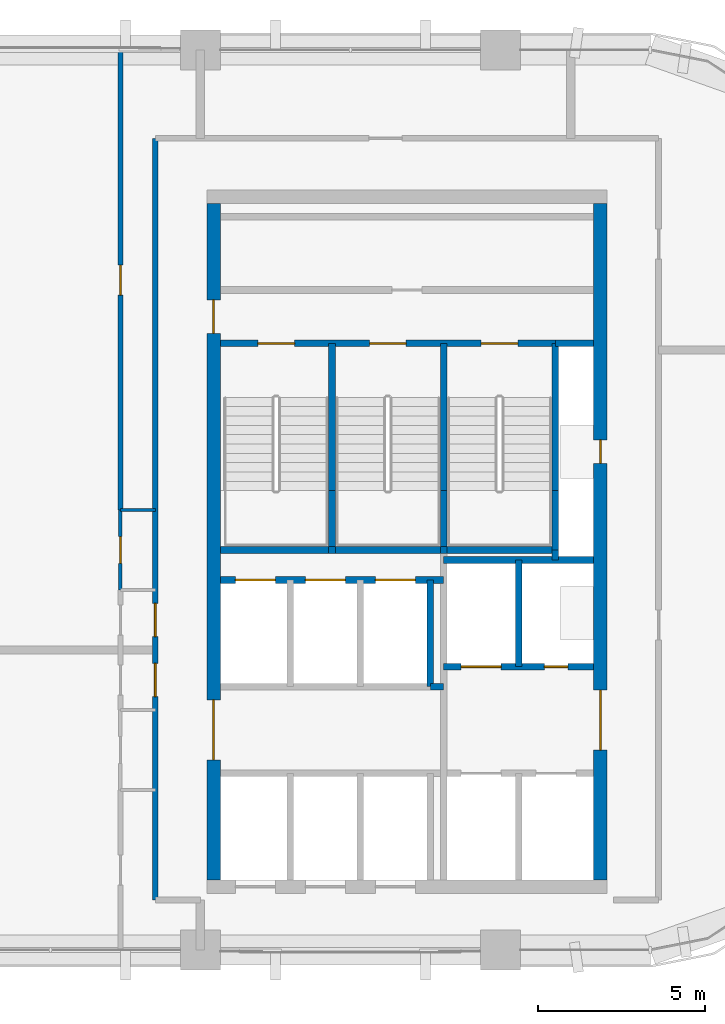
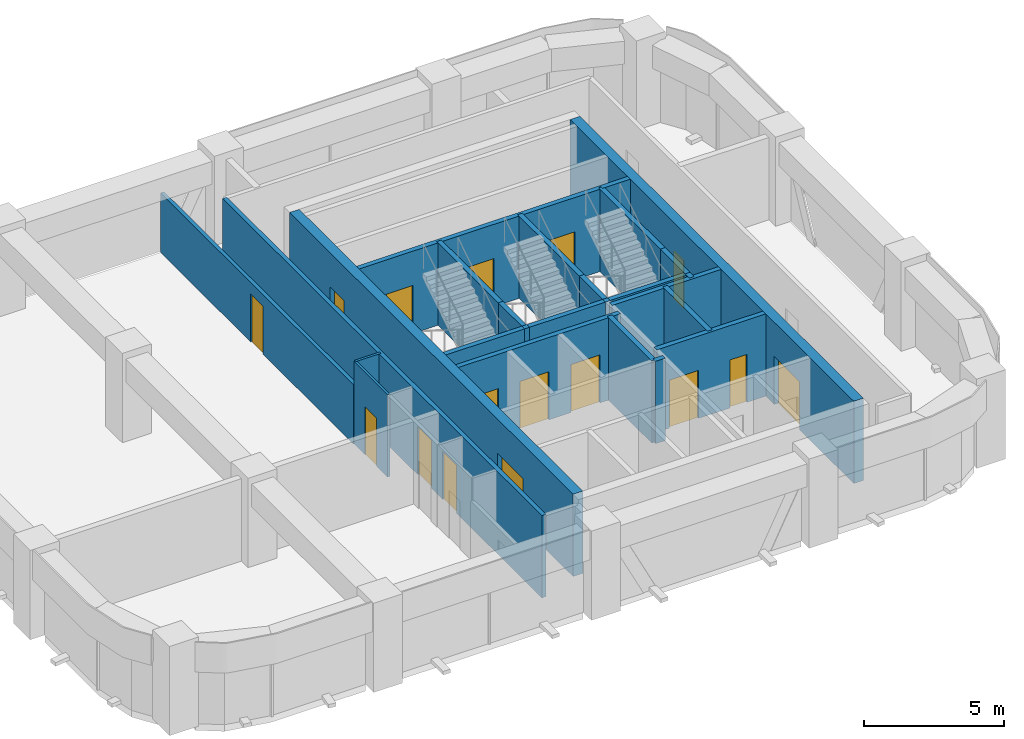
# One storey, part 7 of 9: 26 walls, 16 doors, 16 openings.
"""IFC4 building model written with IfcOpenShell, lengths in metres."""

import ifcopenshell
import ifcopenshell.guid

model = None  # the IFC model being written
_history = None  # IfcOwnerHistory: only IFC2X3 demands one
_inside = {}  # id of a spatial element -> (the spatial element, [elements in it])
_under = {}  # id of a project, library or spatial element -> (it, [spatial elements below it])
_declared = {}  # id of a project -> (the project, [libraries it declares])
_typed = {}  # id of a type object -> (the type object, [elements of that type])
_made_of = {}  # id of a material, layer set ... -> (it, [elements and type objects made of it])


def new_model(schema):
    """Start an empty IFC model of exactly this schema.

    Asked for "IFC4X3", IfcOpenShell would pick the latest addendum, in which some entities
    have other attributes; the version numbers below select the first issue.
    IFC2X3 requires an IfcOwnerHistory on every rooted entity: one is made here for all.
    """
    global model, _history
    if schema == "IFC4X3":
        model = ifcopenshell.file(schema_version=(4, 3, 0, 0))
    else:
        model = ifcopenshell.file(schema=schema)
    _inside.clear()
    _under.clear()
    _declared.clear()
    _typed.clear()
    _made_of.clear()
    _history = None
    if model.schema == "IFC2X3":
        org = make("IfcOrganization", Name="unknown")
        user = make(
            "IfcPersonAndOrganization",
            ThePerson=make("IfcPerson", FamilyName="unknown"),
            TheOrganization=org,
        )
        app = make(
            "IfcApplication",
            ApplicationDeveloper=org,
            Version="unknown",
            ApplicationFullName="unknown",
            ApplicationIdentifier="unknown",
        )
        _history = make(
            "IfcOwnerHistory",
            OwningUser=user,
            OwningApplication=app,
            ChangeAction="ADDED",
            CreationDate=0,
        )
    return model


def make(cls, **values):
    """One entity of the class cls with the attributes given. An attribute that is None is left unset."""
    return model.create_entity(
        cls, **{name: value for name, value in values.items() if value is not None}
    )


def rooted(cls, **values):
    """An entity with a GlobalId (a new one), such as an element, a storey or a relation."""
    return make(cls, GlobalId=ifcopenshell.guid.new(), OwnerHistory=_history, **values)


def si_unit(unit_type, name, prefix=None):
    """IfcSIUnit, for example si_unit("LENGTHUNIT", "METRE", prefix="MILLI")."""
    return make("IfcSIUnit", UnitType=unit_type, Prefix=prefix, Name=name)


def assignment(units):
    """IfcUnitAssignment: the units of a project."""
    return None if units is None else make("IfcUnitAssignment", Units=units)


def point(xyz):
    """IfcCartesianPoint."""
    return None if xyz is None else make("IfcCartesianPoint", Coordinates=xyz)


def direction(xyz):
    """IfcDirection."""
    return None if xyz is None else make("IfcDirection", DirectionRatios=xyz)


def frame(location, z_axis=None, x_axis=None):
    """IfcAxis2Placement3D, a coordinate frame: its origin and axes. An axis left out is left unset."""
    return make(
        "IfcAxis2Placement3D",
        Location=point(location),
        Axis=direction(z_axis),
        RefDirection=direction(x_axis),
    )


def frame_2d(location, x_axis=None):
    """IfcAxis2Placement2D, a coordinate frame in the plane: its origin and x axis."""
    return make(
        "IfcAxis2Placement2D", Location=point(location), RefDirection=direction(x_axis)
    )


def origin():
    """The frame at (0, 0, 0) with its axes left unset."""
    return frame((0.0, 0.0, 0.0))


def place(relative_to, where):
    """IfcLocalPlacement: puts the frame where relative to a parent placement (None: the world)."""
    return make(
        "IfcLocalPlacement", PlacementRelTo=relative_to, RelativePlacement=where
    )


def context(
    kind, dimensions, precision=None, world=None, true_north=None, identifier=None
):
    """IfcGeometricRepresentationContext, for example the 3D "Model" context."""
    return make(
        "IfcGeometricRepresentationContext",
        ContextIdentifier=identifier,
        ContextType=kind,
        CoordinateSpaceDimension=dimensions,
        Precision=precision,
        WorldCoordinateSystem=world,
        TrueNorth=true_north,
    )


def subcontext(parent, identifier, kind, view, scale=None):
    """IfcGeometricRepresentationSubContext, for example "Body" below "Model"."""
    return make(
        "IfcGeometricRepresentationSubContext",
        ContextIdentifier=identifier,
        ContextType=kind,
        ParentContext=parent,
        TargetScale=scale,
        TargetView=view,
    )


def project(units=None, contexts=None):
    """IfcProject with its units and contexts."""
    return rooted(
        "IfcProject",
        Name="project",
        RepresentationContexts=contexts,
        UnitsInContext=assignment(units),
    )


def spatial(cls, under=None, at=None, **own):
    """A site, building, storey or space (cls), placed at a placement, below another one or the project."""
    s = rooted(cls, ObjectPlacement=at, **own)
    if under is not None:
        _under.setdefault(under.id(), (under, []))[1].append(s)
    return s


def profile(cls, at=None, kind="AREA", **sizes):
    """A parametric profile (cls). Its sizes go by their IFC names, for example OverallWidth=200.0."""
    return make(cls, ProfileType=kind, Position=at, **sizes)


def rectangle(**sizes):
    """IfcRectangleProfileDef."""
    return profile("IfcRectangleProfileDef", **sizes)


def extrude(swept, where, along, depth):
    """IfcExtrudedAreaSolid: the profile swept, set in the frame where, extruded along a direction by depth."""
    return make(
        "IfcExtrudedAreaSolid",
        SweptArea=swept,
        Position=where,
        ExtrudedDirection=direction(along),
        Depth=depth,
    )


def shape(context_of_items, identifier, shape_type, items):
    """IfcShapeRepresentation: the items that make up one representation, for example the "Body"."""
    return make(
        "IfcShapeRepresentation",
        ContextOfItems=context_of_items,
        RepresentationIdentifier=identifier,
        RepresentationType=shape_type,
        Items=items,
    )


def material(Name=None, Category=None):
    """IfcMaterial."""
    return make("IfcMaterial", Name=Name, Category=Category)


def layer(
    of_material, thickness, ventilated=None, Name=None, Category=None, Priority=None
):
    """IfcMaterialLayer: one layer of a wall or slab, of a material (None: an air gap)."""
    return make(
        "IfcMaterialLayer",
        Material=of_material,
        LayerThickness=thickness,
        IsVentilated=ventilated,
        Name=Name,
        Category=Category,
        Priority=Priority,
    )


def layer_set(layers, Name=None):
    """IfcMaterialLayerSet."""
    return make("IfcMaterialLayerSet", MaterialLayers=layers, LayerSetName=Name)


def made_of(thing, what):
    """Note that an element or type object is made of a material, layer set ...; save() writes the relation."""
    if what is not None:
        _made_of.setdefault(what.id(), (what, []))[1].append(thing)
    return thing


def type_object(cls, material=None, **own):
    """A type object (cls), such as IfcWallType, which elements share."""
    return made_of(rooted(cls, **own), material)


def element(
    cls,
    number,
    at=None,
    inside=None,
    cuts=None,
    type_object=None,
    material=None,
    context=None,
    identifier="Body",
    shape_type=None,
    held_by="IfcProductDefinitionShape",
    body=None,
    shapes=None,
    **own,
):
    """One element of the class cls, such as IfcWall. Its Tag is "e" and its number.

    at: its placement. inside: the storey or other place that contains it. cuts: it is an
    opening in that element (IfcRelVoidsElement). A single representation is given by context,
    identifier, shape_type and body (its items); several are given by shapes. held_by: the class
    of the entity that holds the representations. save() writes the other relations.
    """
    e = rooted(cls, Tag="e%d" % number, ObjectPlacement=at, **own)
    if body is not None:
        shapes = [shape(context, identifier, shape_type, body)]
    if shapes is not None:
        e.Representation = make(held_by, Representations=shapes)
    if inside is not None:
        _inside.setdefault(inside.id(), (inside, []))[1].append(e)
    if cuts is not None:
        rooted(
            "IfcRelVoidsElement", RelatingBuildingElement=cuts, RelatedOpeningElement=e
        )
    if type_object is not None:
        _typed.setdefault(type_object.id(), (type_object, []))[1].append(e)
    return made_of(e, material)


def fill(opening, filler):
    """IfcRelFillsElement: the door or window that sits in an opening."""
    return rooted(
        "IfcRelFillsElement",
        RelatingOpeningElement=opening,
        RelatedBuildingElement=filler,
    )


def aggregate(whole, parts):
    """IfcRelAggregates: a whole, such as a stair, and the parts it consists of."""
    return rooted("IfcRelAggregates", RelatingObject=whole, RelatedObjects=parts)


def save(model, path):
    """Write the relations noted so far, then the file.

    IfcRelAggregates (storeys below a building ...), IfcRelContainedInSpatialStructure (elements
    in a storey), IfcRelDefinesByType, IfcRelAssociatesMaterial and IfcRelDeclares: one each for
    every whole, place, type object, material and project.
    """
    for whole, parts in _under.values():
        aggregate(whole, parts)
    for where, things in _inside.values():
        rooted(
            "IfcRelContainedInSpatialStructure",
            RelatedElements=things,
            RelatingStructure=where,
        )
    for kind, things in _typed.values():
        rooted("IfcRelDefinesByType", RelatedObjects=things, RelatingType=kind)
    for what, things in _made_of.values():
        rooted("IfcRelAssociatesMaterial", RelatedObjects=things, RelatingMaterial=what)
    for by, libraries in _declared.values():
        rooted("IfcRelDeclares", RelatingContext=by, RelatedDefinitions=libraries)
    model.write(path)


model = new_model("IFC4")

# Units and contexts
model_context = context("Model", 3, precision=1e-05, world=origin(), true_north=direction((0.0, 1.0)))
body_context = subcontext(model_context, "Body", "Model", "MODEL_VIEW")
ifc_project = project(units=[si_unit("LENGTHUNIT", "METRE"), si_unit("AREAUNIT", "SQUARE_METRE"), si_unit("VOLUMEUNIT", "CUBIC_METRE"), si_unit("PLANEANGLEUNIT", "RADIAN"), si_unit("MASSUNIT", "GRAM", prefix="KILO")], contexts=[model_context])

# Site, building, storey
site_placement = place(None, origin())
site = spatial("IfcSite", under=ifc_project, at=site_placement, CompositionType="ELEMENT")
building_placement = place(site_placement, origin())
building = spatial("IfcBuilding", under=site, at=building_placement, Name="Tessera Arch", CompositionType="ELEMENT")
storey_placement = place(building_placement, frame((0.0, 0.0, 277.39990234375)))
storey = spatial("IfcBuildingStorey", under=building, at=storey_placement, Name="L67", CompositionType="ELEMENT", Elevation=277.39990234375)

# Wall
ifc_material_1 = material(Name="Gypsum board on steel stud", Category="steel")
ifc_layer_1 = layer(ifc_material_1, 0.125)
ifc_layer_set_1 = layer_set([ifc_layer_1], Name="Core partition 125 EI 60")
wall_type_1 = type_object("IfcWallType", Name="Core partition 125 EI 60", PredefinedType="PARTITIONING", material=ifc_layer_set_1)
wall_1_placement = place(storey_placement, frame((42.89990234375, 34.89990234375, 0.0), z_axis=(0.0, 0.0, 1.0), x_axis=(1.0, 0.0, 0.0)))
element("IfcWall", 1, at=wall_1_placement, inside=storey, type_object=wall_type_1, Name="L67 C1 partition wall 18", PredefinedType="PARTITIONING", context=body_context, shape_type="SweptSolid", body=[
    extrude(rectangle(XDim=0.400146484375, YDim=0.199951171875, at=frame_2d((0.2001953125, 0.0))), origin(), (0.0, 0.0, 1.0), 3.60009765625),
])

# Wall, openings, doors
ifc_material_2 = material(Name="Concrete C50/60", Category="concrete")
ifc_layer_2 = layer(ifc_material_2, 0.39990234375)
ifc_layer_set_2 = layer_set([ifc_layer_2], Name="Core shell wall 400 C50-60")
wall_type_2 = type_object("IfcWallType", Name="Core shell wall 400 C50-60", PredefinedType="SHEAR", material=ifc_layer_set_2)
wall_2_placement = place(storey_placement, frame((36.39990234375, 29.10009765625, 0.0), z_axis=(0.0, 0.0, 1.0), x_axis=(0.0, 1.0, 0.0)))
wall_2 = element("IfcWall", 2, at=wall_2_placement, inside=storey, type_object=wall_type_2, Name="L67 C1 core wall W", PredefinedType="SHEAR", context=body_context, shape_type="SweptSolid", body=[
    extrude(rectangle(XDim=20.2998046875, YDim=0.39990234375, at=frame_2d((10.14990234375, 0.0))), origin(), (0.0, 0.0, 1.0), 3.60009765625),
])
opening_1_placement = place(wall_2_placement, frame((3.60009765625, 0.0, 0.0)))
opening_1 = element("IfcOpeningElement", 3, at=opening_1_placement, cuts=wall_2, Name="Opening L67-C10", PredefinedType="OPENING", context=body_context, shape_type="SweptSolid", body=[
    extrude(rectangle(XDim=1.800048828125, YDim=2.10009765625, at=frame_2d((0.89990234375, 1.050048828125))), frame((0.0, 0.2099609375, 0.0), z_axis=(0.0, -1.0, 0.0), x_axis=(1.0, 0.0, 0.0)), (0.0, 0.0, 1.0), 0.419921875),
])
opening_2_placement = place(wall_2_placement, frame((16.39990234375, 0.0, 0.0)))
opening_2 = element("IfcOpeningElement", 4, at=opening_2_placement, cuts=wall_2, Name="Opening L67-C17", PredefinedType="OPENING", context=body_context, shape_type="SweptSolid", body=[
    extrude(rectangle(XDim=1.0, YDim=2.10009765625, at=frame_2d((0.5, 1.050048828125))), frame((0.0, 0.2099609375, 0.0), z_axis=(0.0, -1.0, 0.0), x_axis=(1.0, 0.0, 0.0)), (0.0, 0.0, 1.0), 0.419921875),
])
ifc_material_3 = material(Name="Steel door leaf", Category="steel")
door_type_1 = type_object("IfcDoorType", Name="Corridor door FD60 1000 x 2100", OperationType="SINGLE_SWING_LEFT", PredefinedType="DOOR", material=ifc_material_3)
door_1_placement = place(opening_2_placement, origin())
door_1 = element("IfcDoor", 5, at=door_1_placement, inside=storey, type_object=door_type_1, Name="L67 C1 door 17 C17 type D12", OperationType="SINGLE_SWING_RIGHT", OverallHeight=2.10009765625, OverallWidth=1.0, PredefinedType="DOOR", context=body_context, shape_type="SweptSolid", body=[
    extrude(rectangle(XDim=1.0, YDim=2.10009765625, at=frame_2d((0.5, 1.050048828125))), frame((0.0, 0.02490234375, 0.0), z_axis=(0.0, -1.0, 0.0), x_axis=(1.0, 0.0, 0.0)), (0.0, 0.0, 1.0), 0.050048828125),
])
fill(opening_2, door_1)
ifc_material_4 = material(Name="Glazed steel door leaf", Category="steel")
door_type_2 = type_object("IfcDoorType", Name="Lobby double door FD30S 1800 x 2100", OperationType="DOUBLE_DOOR_SINGLE_SWING", PredefinedType="DOOR", material=ifc_material_4)
door_2_placement = place(opening_1_placement, origin())
door_2 = element("IfcDoor", 6, at=door_2_placement, inside=storey, type_object=door_type_2, Name="L67 C1 door 10 C10 type D06", OperationType="DOUBLE_DOOR_SINGLE_SWING", OverallHeight=2.10009765625, OverallWidth=1.800048828125, PredefinedType="DOOR", context=body_context, shape_type="SweptSolid", body=[
    extrude(rectangle(XDim=1.800048828125, YDim=2.10009765625, at=frame_2d((0.89990234375, 1.050048828125))), frame((0.0, 0.02490234375, 0.0), z_axis=(0.0, -1.0, 0.0), x_axis=(1.0, 0.0, 0.0)), (0.0, 0.0, 1.0), 0.050048828125),
])
fill(opening_1, door_2)

wall_3_placement = place(storey_placement, frame((48.0, 29.10009765625, 0.0), z_axis=(0.0, 0.0, 1.0), x_axis=(0.0, 1.0, 0.0)))
wall_3 = element("IfcWall", 7, at=wall_3_placement, inside=storey, type_object=wall_type_2, Name="L67 C1 core wall E", PredefinedType="SHEAR", context=body_context, shape_type="SweptSolid", body=[
    extrude(rectangle(XDim=20.2998046875, YDim=0.39990234375, at=frame_2d((10.14990234375, 0.0))), origin(), (0.0, 0.0, 1.0), 3.60009765625),
])
opening_3_placement = place(wall_3_placement, frame((12.5, 0.0, 0.0)))
opening_3 = element("IfcOpeningElement", 8, at=opening_3_placement, cuts=wall_3, Name="Opening L67-C14", PredefinedType="OPENING", context=body_context, shape_type="SweptSolid", body=[
    extrude(rectangle(XDim=0.699951171875, YDim=2.10009765625, at=frame_2d((0.35009765625, 1.050048828125))), frame((0.0, 0.2099609375, 0.0), z_axis=(0.0, -1.0, 0.0), x_axis=(1.0, 0.0, 0.0)), (0.0, 0.0, 1.0), 0.419921875),
])
opening_4_placement = place(wall_3_placement, frame((3.89990234375, 0.0, 0.0)))
opening_4 = element("IfcOpeningElement", 9, at=opening_4_placement, cuts=wall_3, Name="Opening L67-C15", PredefinedType="OPENING", context=body_context, shape_type="SweptSolid", body=[
    extrude(rectangle(XDim=1.800048828125, YDim=2.10009765625, at=frame_2d((0.89990234375, 1.050048828125))), frame((0.0, 0.2099609375, 0.0), z_axis=(0.0, -1.0, 0.0), x_axis=(1.0, 0.0, 0.0)), (0.0, 0.0, 1.0), 0.419921875),
])
ifc_material_5 = material(Name="Glazed steel door leaf", Category="steel")
door_type_3 = type_object("IfcDoorType", Name="Lobby double door FD60 1800 x 2100", OperationType="DOUBLE_DOOR_SINGLE_SWING", PredefinedType="DOOR", material=ifc_material_5)
door_3_placement = place(opening_4_placement, origin())
door_3 = element("IfcDoor", 10, at=door_3_placement, inside=storey, type_object=door_type_3, Name="L67 C1 door 15 C15 type D19", OperationType="DOUBLE_DOOR_SINGLE_SWING", OverallHeight=2.10009765625, OverallWidth=1.800048828125, PredefinedType="DOOR", context=body_context, shape_type="SweptSolid", body=[
    extrude(rectangle(XDim=1.800048828125, YDim=2.10009765625, at=frame_2d((0.89990234375, 1.050048828125))), frame((0.0, 0.02490234375, 0.0), z_axis=(0.0, -1.0, 0.0), x_axis=(1.0, 0.0, 0.0)), (0.0, 0.0, 1.0), 0.050048828125),
])
fill(opening_4, door_3)
ifc_material_6 = material(Name="Steel door leaf", Category="steel")
door_type_4 = type_object("IfcDoorType", Name="Service shaft door FD60 700 x 2100", OperationType="SINGLE_SWING_LEFT", PredefinedType="DOOR", material=ifc_material_6)
door_4_placement = place(opening_3_placement, origin())
door_4 = element("IfcDoor", 11, at=door_4_placement, inside=storey, type_object=door_type_4, Name="L67 C1 door 14 C14 type D07", OperationType="SINGLE_SWING_RIGHT", OverallHeight=2.10009765625, OverallWidth=0.699951171875, PredefinedType="DOOR", context=body_context, shape_type="SweptSolid", body=[
    extrude(rectangle(XDim=0.699951171875, YDim=2.10009765625, at=frame_2d((0.35009765625, 1.050048828125))), frame((0.0, 0.02490234375, 0.0), z_axis=(0.0, -1.0, 0.0), x_axis=(1.0, 0.0, 0.0)), (0.0, 0.0, 1.0), 0.050048828125),
])
fill(opening_3, door_4)

ifc_material_7 = material(Name="Gypsum board on deep steel stud with mineral wool", Category="steel")
ifc_layer_3 = layer(ifc_material_7, 0.175048828125)
ifc_layer_set_3 = layer_set([ifc_layer_3], Name="Corridor wall 175 EI 60")
wall_type_3 = type_object("IfcWallType", Name="Corridor wall 175 EI 60", PredefinedType="PARTITIONING", material=ifc_layer_set_3)
wall_4_placement = place(storey_placement, frame((34.64990234375, 28.5, 0.0), z_axis=(0.0, 0.0, 1.0), x_axis=(0.0, 1.0, 0.0)))
wall_4 = element("IfcWall", 12, at=wall_4_placement, inside=storey, type_object=wall_type_3, Name="L67 partition 4", PredefinedType="PARTITIONING", context=body_context, shape_type="SweptSolid", body=[
    extrude(rectangle(XDim=22.85009765625, YDim=0.175048828125, at=frame_2d((11.425048828125, 0.0))), origin(), (0.0, 0.0, 1.0), 3.60009765625),
])
opening_5_placement = place(wall_4_placement, frame((6.10009765625, 0.0, 0.0)))
opening_5 = element("IfcOpeningElement", 13, at=opening_5_placement, cuts=wall_4, Name="Opening L67-D001", PredefinedType="OPENING", context=body_context, shape_type="SweptSolid", body=[
    extrude(rectangle(XDim=1.0, YDim=2.10009765625, at=frame_2d((0.5, 1.050048828125))), frame((0.0, 0.097412109375, 0.0), z_axis=(0.0, -1.0, 0.0), x_axis=(1.0, 0.0, 0.0)), (0.0, 0.0, 1.0), 0.195068359375),
])
opening_6_placement = place(wall_4_placement, frame((7.89990234375, 0.0, 0.0)))
opening_6 = element("IfcOpeningElement", 14, at=opening_6_placement, cuts=wall_4, Name="Opening L67-D006", PredefinedType="OPENING", context=body_context, shape_type="SweptSolid", body=[
    extrude(rectangle(XDim=1.0, YDim=2.10009765625, at=frame_2d((0.5, 1.050048828125))), frame((0.0, 0.097412109375, 0.0), z_axis=(0.0, -1.0, 0.0), x_axis=(1.0, 0.0, 0.0)), (0.0, 0.0, 1.0), 0.195068359375),
])
ifc_material_8 = material(Name="Fire-rated door leaf")
door_type_5 = type_object("IfcDoorType", Name="Entrance door FD30S 1000 x 2100", OperationType="SINGLE_SWING_LEFT", PredefinedType="DOOR", material=ifc_material_8)
door_5_placement = place(opening_5_placement, origin())
door_5 = element("IfcDoor", 15, at=door_5_placement, inside=storey, type_object=door_type_5, Name="L67 door D001 type D03", OperationType="SINGLE_SWING_LEFT", OverallHeight=2.10009765625, OverallWidth=1.0, PredefinedType="DOOR", context=body_context, shape_type="SweptSolid", body=[
    extrude(rectangle(XDim=1.0, YDim=2.10009765625, at=frame_2d((0.5, 1.050048828125))), frame((0.0, 0.02490234375, 0.0), z_axis=(0.0, -1.0, 0.0), x_axis=(1.0, 0.0, 0.0)), (0.0, 0.0, 1.0), 0.050048828125),
])
fill(opening_5, door_5)
door_6_placement = place(opening_6_placement, origin())
door_6 = element("IfcDoor", 16, at=door_6_placement, inside=storey, type_object=door_type_5, Name="L67 door D006 type D03", OperationType="SINGLE_SWING_LEFT", OverallHeight=2.10009765625, OverallWidth=1.0, PredefinedType="DOOR", context=body_context, shape_type="SweptSolid", body=[
    extrude(rectangle(XDim=1.0, YDim=2.10009765625, at=frame_2d((0.5, 1.050048828125))), frame((0.0, 0.02490234375, 0.0), z_axis=(0.0, -1.0, 0.0), x_axis=(1.0, 0.0, 0.0)), (0.0, 0.0, 1.0), 0.050048828125),
])
fill(opening_6, door_6)

# Wall, opening, door
ifc_material_9 = material(Name="Gypsum board on steel stud", Category="steel")
ifc_layer_4 = layer(ifc_material_9, 0.14990234375)
ifc_layer_set_4 = layer_set([ifc_layer_4], Name="Partition 150")
wall_type_4 = type_object("IfcWallType", Name="Partition 150", PredefinedType="PARTITIONING", material=ifc_layer_set_4)
wall_5_placement = place(storey_placement, frame((33.60009765625, 40.199951171875, 0.0), z_axis=(0.0, 0.0, 1.0), x_axis=(0.0, 1.0, 0.0)))
wall_5 = element("IfcWall", 17, at=wall_5_placement, inside=storey, type_object=wall_type_4, Name="L67 partition 8", PredefinedType="PARTITIONING", context=body_context, shape_type="SweptSolid", body=[
    extrude(rectangle(XDim=13.800048828125, YDim=0.14990234375, at=frame_2d((6.89990234375, 0.0))), origin(), (0.0, 0.0, 1.0), 2.60009765625),
])
opening_7_placement = place(wall_5_placement, frame((6.449951171875, 0.0, 0.0)))
opening_7 = element("IfcOpeningElement", 18, at=opening_7_placement, cuts=wall_5, Name="Opening L67-D009", PredefinedType="OPENING", context=body_context, shape_type="SweptSolid", body=[
    extrude(rectangle(XDim=0.89990234375, YDim=2.10009765625, at=frame_2d((0.449951171875, 1.050048828125))), frame((0.0, 0.0849609375, 0.0), z_axis=(0.0, -1.0, 0.0), x_axis=(1.0, 0.0, 0.0)), (0.0, 0.0, 1.0), 0.169921875),
])
ifc_material_10 = material(Name="Timber door leaf", Category="wood")
door_type_6 = type_object("IfcDoorType", Name="Room door 900 x 2100", OperationType="SINGLE_SWING_LEFT", PredefinedType="DOOR", material=ifc_material_10)
door_7_placement = place(opening_7_placement, origin())
door_7 = element("IfcDoor", 19, at=door_7_placement, inside=storey, type_object=door_type_6, Name="L67 door D009 type D01", OperationType="SINGLE_SWING_RIGHT", OverallHeight=2.10009765625, OverallWidth=0.89990234375, PredefinedType="DOOR", context=body_context, shape_type="SweptSolid", body=[
    extrude(rectangle(XDim=0.89990234375, YDim=2.10009765625, at=frame_2d((0.449951171875, 1.050048828125))), frame((0.0, 0.02490234375, 0.0), z_axis=(0.0, -1.0, 0.0), x_axis=(1.0, 0.0, 0.0)), (0.0, 0.0, 1.0), 0.050048828125),
])
fill(opening_7, door_7)

# Walls
ifc_material_11 = material(Name="Concrete C40/50", Category="concrete")
ifc_layer_5 = layer(ifc_material_11, 0.199951171875)
ifc_layer_set_5 = layer_set([ifc_layer_5], Name="Shaft wall 200 EI 120")
wall_type_5 = type_object("IfcWallType", Name="Shaft wall 200 EI 120", PredefinedType="SOLIDWALL", material=ifc_layer_set_5)
wall_6_placement = place(storey_placement, frame((42.89990234375, 34.89990234375, 0.0), z_axis=(0.0, 0.0, 1.0), x_axis=(0.0, 1.0, 0.0)))
element("IfcWall", 20, at=wall_6_placement, inside=storey, type_object=wall_type_5, Name="L67 C1 shaft wall 8", PredefinedType="SOLIDWALL", context=body_context, shape_type="SweptSolid", body=[
    extrude(rectangle(XDim=3.2001953125, YDim=0.199951171875, at=frame_2d((1.60009765625, 0.0))), origin(), (0.0, 0.0, 1.0), 3.60009765625),
])
wall_7_placement = place(storey_placement, frame((45.550048828125, 35.5, 0.0), z_axis=(0.0, 0.0, 1.0), x_axis=(0.0, 1.0, 0.0)))
element("IfcWall", 21, at=wall_7_placement, inside=storey, type_object=wall_type_5, Name="L67 C1 shaft wall 13", PredefinedType="SOLIDWALL", context=body_context, shape_type="SweptSolid", body=[
    extrude(rectangle(XDim=3.199951171875, YDim=0.199951171875, at=frame_2d((1.60009765625, 0.0))), origin(), (0.0, 0.0, 1.0), 3.60009765625),
])
wall_8_placement = place(storey_placement, frame((46.64990234375, 38.699951171875, 0.0), z_axis=(0.0, 0.0, 1.0), x_axis=(0.0, 1.0, 0.0)))
element("IfcWall", 22, at=wall_8_placement, inside=storey, type_object=wall_type_5, Name="L67 C1 shaft wall 14", PredefinedType="SOLIDWALL", context=body_context, shape_type="SweptSolid", body=[
    extrude(rectangle(XDim=0.300048828125, YDim=0.199951171875, at=frame_2d((0.14990234375, 0.0))), origin(), (0.0, 0.0, 1.0), 3.60009765625),
])

# Wall, openings, doors
wall_9_placement = place(storey_placement, frame((43.300048828125, 35.5, 0.0), z_axis=(0.0, 0.0, 1.0), x_axis=(1.0, 0.0, 0.0)))
wall_9 = element("IfcWall", 23, at=wall_9_placement, inside=storey, type_object=wall_type_5, Name="L67 C1 shaft wall 20", PredefinedType="SOLIDWALL", context=body_context, shape_type="SweptSolid", body=[
    extrude(rectangle(XDim=4.5, YDim=0.199951171875, at=frame_2d((2.25, 0.0))), origin(), (0.0, 0.0, 1.0), 3.60009765625),
])
opening_8_placement = place(wall_9_placement, frame((0.52490234375, 0.0, 0.0)))
opening_8 = element("IfcOpeningElement", 24, at=opening_8_placement, cuts=wall_9, Name="Opening L67-C09", PredefinedType="OPENING", context=body_context, shape_type="SweptSolid", body=[
    extrude(rectangle(XDim=1.199951171875, YDim=2.10009765625, at=frame_2d((0.60009765625, 1.050048828125))), frame((0.0, 0.10986328125, 0.0), z_axis=(0.0, -1.0, 0.0), x_axis=(1.0, 0.0, 0.0)), (0.0, 0.0, 1.0), 0.219970703125),
])
opening_9_placement = place(wall_9_placement, frame((3.02490234375, 0.0, 0.0)))
opening_9 = element("IfcOpeningElement", 25, at=opening_9_placement, cuts=wall_9, Name="Opening L67-C16", PredefinedType="OPENING", context=body_context, shape_type="SweptSolid", body=[
    extrude(rectangle(XDim=0.699951171875, YDim=2.10009765625, at=frame_2d((0.35009765625, 1.050048828125))), frame((0.0, 0.10986328125, 0.0), z_axis=(0.0, -1.0, 0.0), x_axis=(1.0, 0.0, 0.0)), (0.0, 0.0, 1.0), 0.219970703125),
])
door_8_placement = place(opening_9_placement, origin())
door_8 = element("IfcDoor", 26, at=door_8_placement, inside=storey, type_object=door_type_4, Name="L67 C1 door 16 C16 type D07", OperationType="SINGLE_SWING_RIGHT", OverallHeight=2.10009765625, OverallWidth=0.699951171875, PredefinedType="DOOR", context=body_context, shape_type="SweptSolid", body=[
    extrude(rectangle(XDim=0.699951171875, YDim=2.10009765625, at=frame_2d((0.35009765625, 1.050048828125))), frame((0.0, 0.02490234375, 0.0), z_axis=(0.0, -1.0, 0.0), x_axis=(1.0, 0.0, 0.0)), (0.0, 0.0, 1.0), 0.050048828125),
])
fill(opening_9, door_8)
ifc_material_12 = material(Name="Stainless steel AISI 304", Category="steel")
door_type_7 = type_object("IfcDoorType", Name="Sliding landing door 1200 x 2100", OperationType="SLIDING_TO_LEFT", PredefinedType="DOOR", material=ifc_material_12)
door_9_placement = place(opening_8_placement, origin())
door_9 = element("IfcDoor", 27, at=door_9_placement, inside=storey, type_object=door_type_7, Name="L67 SV2 lift landing door C09 type LD", OperationType="SLIDING_TO_LEFT", OverallHeight=2.10009765625, OverallWidth=1.199951171875, PredefinedType="DOOR", context=body_context, shape_type="SweptSolid", body=[
    extrude(rectangle(XDim=1.199951171875, YDim=2.10009765625, at=frame_2d((0.60009765625, 1.050048828125))), frame((0.0, 0.02490234375, 0.0), z_axis=(0.0, -1.0, 0.0), x_axis=(1.0, 0.0, 0.0)), (0.0, 0.0, 1.0), 0.050048828125),
])
fill(opening_8, door_9)

wall_10_placement = place(storey_placement, frame((36.60009765625, 38.10009765625, 0.0), z_axis=(0.0, 0.0, 1.0), x_axis=(1.0, 0.0, 0.0)))
wall_10 = element("IfcWall", 28, at=wall_10_placement, inside=storey, type_object=wall_type_5, Name="L67 C1 shaft wall 21", PredefinedType="SOLIDWALL", context=body_context, shape_type="SweptSolid", body=[
    extrude(rectangle(XDim=6.699951171875, YDim=0.199951171875, at=frame_2d((3.35009765625, 0.0))), origin(), (0.0, 0.0, 1.0), 3.60009765625),
])
opening_10_placement = place(wall_10_placement, frame((0.449951171875, 0.0, 0.0)))
opening_10 = element("IfcOpeningElement", 29, at=opening_10_placement, cuts=wall_10, Name="Opening L67-C02", PredefinedType="OPENING", context=body_context, shape_type="SweptSolid", body=[
    extrude(rectangle(XDim=1.199951171875, YDim=2.10009765625, at=frame_2d((0.60009765625, 1.050048828125))), frame((0.0, 0.10986328125, 0.0), z_axis=(0.0, -1.0, 0.0), x_axis=(1.0, 0.0, 0.0)), (0.0, 0.0, 1.0), 0.219970703125),
])
opening_11_placement = place(wall_10_placement, frame((2.550048828125, 0.0, 0.0)))
opening_11 = element("IfcOpeningElement", 30, at=opening_11_placement, cuts=wall_10, Name="Opening L67-C04", PredefinedType="OPENING", context=body_context, shape_type="SweptSolid", body=[
    extrude(rectangle(XDim=1.199951171875, YDim=2.10009765625, at=frame_2d((0.60009765625, 1.050048828125))), frame((0.0, 0.10986328125, 0.0), z_axis=(0.0, -1.0, 0.0), x_axis=(1.0, 0.0, 0.0)), (0.0, 0.0, 1.0), 0.219970703125),
])
opening_12_placement = place(wall_10_placement, frame((4.64990234375, 0.0, 0.0)))
opening_12 = element("IfcOpeningElement", 31, at=opening_12_placement, cuts=wall_10, Name="Opening L67-C06", PredefinedType="OPENING", context=body_context, shape_type="SweptSolid", body=[
    extrude(rectangle(XDim=1.199951171875, YDim=2.10009765625, at=frame_2d((0.60009765625, 1.050048828125))), frame((0.0, 0.10986328125, 0.0), z_axis=(0.0, -1.0, 0.0), x_axis=(1.0, 0.0, 0.0)), (0.0, 0.0, 1.0), 0.219970703125),
])
door_10_placement = place(opening_10_placement, origin())
door_10 = element("IfcDoor", 32, at=door_10_placement, inside=storey, type_object=door_type_7, Name="L67 HR4 lift landing door C02 type LD", OperationType="SLIDING_TO_LEFT", OverallHeight=2.10009765625, OverallWidth=1.199951171875, PredefinedType="DOOR", context=body_context, shape_type="SweptSolid", body=[
    extrude(rectangle(XDim=1.199951171875, YDim=2.10009765625, at=frame_2d((0.60009765625, 1.050048828125))), frame((0.0, 0.02490234375, 0.0), z_axis=(0.0, -1.0, 0.0), x_axis=(1.0, 0.0, 0.0)), (0.0, 0.0, 1.0), 0.050048828125),
])
fill(opening_10, door_10)
door_11_placement = place(opening_11_placement, origin())
door_11 = element("IfcDoor", 33, at=door_11_placement, inside=storey, type_object=door_type_7, Name="L67 HR5 lift landing door C04 type LD", OperationType="SLIDING_TO_LEFT", OverallHeight=2.10009765625, OverallWidth=1.199951171875, PredefinedType="DOOR", context=body_context, shape_type="SweptSolid", body=[
    extrude(rectangle(XDim=1.199951171875, YDim=2.10009765625, at=frame_2d((0.60009765625, 1.050048828125))), frame((0.0, 0.02490234375, 0.0), z_axis=(0.0, -1.0, 0.0), x_axis=(1.0, 0.0, 0.0)), (0.0, 0.0, 1.0), 0.050048828125),
])
fill(opening_11, door_11)
door_12_placement = place(opening_12_placement, origin())
door_12 = element("IfcDoor", 34, at=door_12_placement, inside=storey, type_object=door_type_7, Name="L67 HR6 lift landing door C06 type LD", OperationType="SLIDING_TO_LEFT", OverallHeight=2.10009765625, OverallWidth=1.199951171875, PredefinedType="DOOR", context=body_context, shape_type="SweptSolid", body=[
    extrude(rectangle(XDim=1.199951171875, YDim=2.10009765625, at=frame_2d((0.60009765625, 1.050048828125))), frame((0.0, 0.02490234375, 0.0), z_axis=(0.0, -1.0, 0.0), x_axis=(1.0, 0.0, 0.0)), (0.0, 0.0, 1.0), 0.050048828125),
])
fill(opening_12, door_12)

# Walls
wall_11_placement = place(storey_placement, frame((43.300048828125, 38.699951171875, 0.0), z_axis=(0.0, 0.0, 1.0), x_axis=(1.0, 0.0, 0.0)))
element("IfcWall", 35, at=wall_11_placement, inside=storey, type_object=wall_type_5, Name="L67 C1 shaft wall 22", PredefinedType="SOLIDWALL", context=body_context, shape_type="SweptSolid", body=[
    extrude(rectangle(XDim=4.5, YDim=0.199951171875, at=frame_2d((2.25, 0.0))), origin(), (0.0, 0.0, 1.0), 3.60009765625),
])
wall_12_placement = place(storey_placement, frame((46.64990234375, 45.199951171875, 0.0), z_axis=(0.0, 0.0, 1.0), x_axis=(1.0, 0.0, 0.0)))
element("IfcWall", 36, at=wall_12_placement, inside=storey, type_object=wall_type_5, Name="L67 C1 shaft wall 28", PredefinedType="SOLIDWALL", context=body_context, shape_type="SweptSolid", body=[
    extrude(rectangle(XDim=1.150146484375, YDim=0.199951171875, at=frame_2d((0.5751953125, 0.0))), origin(), (0.0, 0.0, 1.0), 3.60009765625),
])
ifc_material_13 = material(Name="Concrete C40/50", Category="concrete")
ifc_layer_6 = layer(ifc_material_13, 0.199951171875)
ifc_layer_set_6 = layer_set([ifc_layer_6], Name="Stair well wall 200 REI 180")
wall_type_6 = type_object("IfcWallType", Name="Stair well wall 200 REI 180", PredefinedType="SOLIDWALL", material=ifc_layer_set_6)
wall_13_placement = place(storey_placement, frame((39.949951171875, 39.0, 0.0), z_axis=(0.0, 0.0, 1.0), x_axis=(0.0, 1.0, 0.0)))
element("IfcWall", 37, at=wall_13_placement, inside=storey, type_object=wall_type_6, Name="L67 C1 shaft wall 3", PredefinedType="SOLIDWALL", context=body_context, shape_type="SweptSolid", body=[
    extrude(rectangle(XDim=1.780029296875, YDim=0.199951171875, at=frame_2d((0.89013671875, 0.0))), origin(), (0.0, 0.0, 1.0), 3.60009765625),
])
wall_14_placement = place(storey_placement, frame((39.949951171875, 40.780029296875, 0.0), z_axis=(0.0, 0.0, 1.0), x_axis=(0.0, 1.0, 0.0)))
element("IfcWall", 38, at=wall_14_placement, inside=storey, type_object=wall_type_6, Name="L67 C1 shaft wall 4", PredefinedType="SOLIDWALL", context=body_context, shape_type="SweptSolid", body=[
    extrude(rectangle(XDim=4.419921875, YDim=0.199951171875, at=frame_2d((2.2099609375, 0.0))), origin(), (0.0, 0.0, 1.0), 3.60009765625),
])
wall_15_placement = place(storey_placement, frame((43.300048828125, 39.0, 0.0), z_axis=(0.0, 0.0, 1.0), x_axis=(0.0, 1.0, 0.0)))
element("IfcWall", 39, at=wall_15_placement, inside=storey, type_object=wall_type_6, Name="L67 C1 shaft wall 10", PredefinedType="SOLIDWALL", context=body_context, shape_type="SweptSolid", body=[
    extrude(rectangle(XDim=1.780029296875, YDim=0.199951171875, at=frame_2d((0.89013671875, 0.0))), origin(), (0.0, 0.0, 1.0), 3.60009765625),
])
wall_16_placement = place(storey_placement, frame((43.300048828125, 40.780029296875, 0.0), z_axis=(0.0, 0.0, 1.0), x_axis=(0.0, 1.0, 0.0)))
element("IfcWall", 40, at=wall_16_placement, inside=storey, type_object=wall_type_6, Name="L67 C1 shaft wall 11", PredefinedType="SOLIDWALL", context=body_context, shape_type="SweptSolid", body=[
    extrude(rectangle(XDim=4.419921875, YDim=0.199951171875, at=frame_2d((2.2099609375, 0.0))), origin(), (0.0, 0.0, 1.0), 3.60009765625),
])
wall_17_placement = place(storey_placement, frame((46.64990234375, 39.0, 0.0), z_axis=(0.0, 0.0, 1.0), x_axis=(0.0, 1.0, 0.0)))
element("IfcWall", 41, at=wall_17_placement, inside=storey, type_object=wall_type_6, Name="L67 C1 shaft wall 15", PredefinedType="SOLIDWALL", context=body_context, shape_type="SweptSolid", body=[
    extrude(rectangle(XDim=1.780029296875, YDim=0.199951171875, at=frame_2d((0.89013671875, 0.0))), origin(), (0.0, 0.0, 1.0), 3.60009765625),
])
wall_18_placement = place(storey_placement, frame((46.64990234375, 40.780029296875, 0.0), z_axis=(0.0, 0.0, 1.0), x_axis=(0.0, 1.0, 0.0)))
element("IfcWall", 42, at=wall_18_placement, inside=storey, type_object=wall_type_6, Name="L67 C1 shaft wall 16", PredefinedType="SOLIDWALL", context=body_context, shape_type="SweptSolid", body=[
    extrude(rectangle(XDim=4.419921875, YDim=0.199951171875, at=frame_2d((2.2099609375, 0.0))), origin(), (0.0, 0.0, 1.0), 3.60009765625),
])
wall_19_placement = place(storey_placement, frame((36.60009765625, 39.0, 0.0), z_axis=(0.0, 0.0, 1.0), x_axis=(1.0, 0.0, 0.0)))
element("IfcWall", 43, at=wall_19_placement, inside=storey, type_object=wall_type_6, Name="L67 C1 shaft wall 23", PredefinedType="SOLIDWALL", context=body_context, shape_type="SweptSolid", body=[
    extrude(rectangle(XDim=3.25, YDim=0.199951171875, at=frame_2d((1.625, 0.0))), origin(), (0.0, 0.0, 1.0), 3.60009765625),
])
wall_20_placement = place(storey_placement, frame((39.85009765625, 39.0, 0.0), z_axis=(0.0, 0.0, 1.0), x_axis=(1.0, 0.0, 0.0)))
element("IfcWall", 44, at=wall_20_placement, inside=storey, type_object=wall_type_6, Name="L67 C1 shaft wall 24", PredefinedType="SOLIDWALL", context=body_context, shape_type="SweptSolid", body=[
    extrude(rectangle(XDim=0.199951171875, YDim=0.199951171875, at=frame_2d((0.10009765625, 0.0))), origin(), (0.0, 0.0, 1.0), 3.60009765625),
])
wall_21_placement = place(storey_placement, frame((40.050048828125, 39.0, 0.0), z_axis=(0.0, 0.0, 1.0), x_axis=(1.0, 0.0, 0.0)))
element("IfcWall", 45, at=wall_21_placement, inside=storey, type_object=wall_type_6, Name="L67 C1 shaft wall 25", PredefinedType="SOLIDWALL", context=body_context, shape_type="SweptSolid", body=[
    extrude(rectangle(XDim=3.14990234375, YDim=0.199951171875, at=frame_2d((1.574951171875, 0.0))), origin(), (0.0, 0.0, 1.0), 3.60009765625),
])
wall_22_placement = place(storey_placement, frame((43.199951171875, 39.0, 0.0), z_axis=(0.0, 0.0, 1.0), x_axis=(1.0, 0.0, 0.0)))
element("IfcWall", 46, at=wall_22_placement, inside=storey, type_object=wall_type_6, Name="L67 C1 shaft wall 26", PredefinedType="SOLIDWALL", context=body_context, shape_type="SweptSolid", body=[
    extrude(rectangle(XDim=0.199951171875, YDim=0.199951171875, at=frame_2d((0.10009765625, 0.0))), origin(), (0.0, 0.0, 1.0), 3.60009765625),
])
wall_23_placement = place(storey_placement, frame((43.39990234375, 39.0, 0.0), z_axis=(0.0, 0.0, 1.0), x_axis=(1.0, 0.0, 0.0)))
element("IfcWall", 47, at=wall_23_placement, inside=storey, type_object=wall_type_6, Name="L67 C1 shaft wall 27", PredefinedType="SOLIDWALL", context=body_context, shape_type="SweptSolid", body=[
    extrude(rectangle(XDim=3.25, YDim=0.199951171875, at=frame_2d((1.625, 0.0))), origin(), (0.0, 0.0, 1.0), 3.60009765625),
])

# Wall, openings, doors
wall_24_placement = place(storey_placement, frame((36.60009765625, 45.199951171875, 0.0), z_axis=(0.0, 0.0, 1.0), x_axis=(1.0, 0.0, 0.0)))
wall_24 = element("IfcWall", 48, at=wall_24_placement, inside=storey, type_object=wall_type_6, Name="L67 C1 shaft wall 29", PredefinedType="SOLIDWALL", context=body_context, shape_type="SweptSolid", body=[
    extrude(rectangle(XDim=10.0498046875, YDim=0.199951171875, at=frame_2d((5.02490234375, 0.0))), origin(), (0.0, 0.0, 1.0), 3.60009765625),
])
opening_13_placement = place(wall_24_placement, frame((1.125, 0.0, 0.0)))
opening_13 = element("IfcOpeningElement", 49, at=opening_13_placement, cuts=wall_24, Name="Opening L67-C11", PredefinedType="OPENING", context=body_context, shape_type="SweptSolid", body=[
    extrude(rectangle(XDim=1.10009765625, YDim=2.10009765625, at=frame_2d((0.550048828125, 1.050048828125))), frame((0.0, 0.10986328125, 0.0), z_axis=(0.0, -1.0, 0.0), x_axis=(1.0, 0.0, 0.0)), (0.0, 0.0, 1.0), 0.219970703125),
])
opening_14_placement = place(wall_24_placement, frame((4.47509765625, 0.0, 0.0)))
opening_14 = element("IfcOpeningElement", 50, at=opening_14_placement, cuts=wall_24, Name="Opening L67-C12", PredefinedType="OPENING", context=body_context, shape_type="SweptSolid", body=[
    extrude(rectangle(XDim=1.10009765625, YDim=2.10009765625, at=frame_2d((0.550048828125, 1.050048828125))), frame((0.0, 0.10986328125, 0.0), z_axis=(0.0, -1.0, 0.0), x_axis=(1.0, 0.0, 0.0)), (0.0, 0.0, 1.0), 0.219970703125),
])
opening_15_placement = place(wall_24_placement, frame((7.824951171875, 0.0, 0.0)))
opening_15 = element("IfcOpeningElement", 51, at=opening_15_placement, cuts=wall_24, Name="Opening L67-C13", PredefinedType="OPENING", context=body_context, shape_type="SweptSolid", body=[
    extrude(rectangle(XDim=1.10009765625, YDim=2.10009765625, at=frame_2d((0.550048828125, 1.050048828125))), frame((0.0, 0.10986328125, 0.0), z_axis=(0.0, -1.0, 0.0), x_axis=(1.0, 0.0, 0.0)), (0.0, 0.0, 1.0), 0.219970703125),
])
ifc_material_14 = material(Name="Steel door leaf", Category="steel")
door_type_8 = type_object("IfcDoorType", Name="Stair door FD60 1100 x 2100", OperationType="SINGLE_SWING_LEFT", PredefinedType="DOOR", material=ifc_material_14)
door_13_placement = place(opening_13_placement, origin())
door_13 = element("IfcDoor", 52, at=door_13_placement, inside=storey, type_object=door_type_8, Name="L67 C1 door 11 C11 type D05", OperationType="SINGLE_SWING_LEFT", OverallHeight=2.10009765625, OverallWidth=1.10009765625, PredefinedType="DOOR", context=body_context, shape_type="SweptSolid", body=[
    extrude(rectangle(XDim=1.10009765625, YDim=2.10009765625, at=frame_2d((0.550048828125, 1.050048828125))), frame((0.0, 0.02490234375, 0.0), z_axis=(0.0, -1.0, 0.0), x_axis=(1.0, 0.0, 0.0)), (0.0, 0.0, 1.0), 0.050048828125),
])
fill(opening_13, door_13)
door_14_placement = place(opening_14_placement, origin())
door_14 = element("IfcDoor", 53, at=door_14_placement, inside=storey, type_object=door_type_8, Name="L67 C1 door 12 C12 type D05", OperationType="SINGLE_SWING_RIGHT", OverallHeight=2.10009765625, OverallWidth=1.10009765625, PredefinedType="DOOR", context=body_context, shape_type="SweptSolid", body=[
    extrude(rectangle(XDim=1.10009765625, YDim=2.10009765625, at=frame_2d((0.550048828125, 1.050048828125))), frame((0.0, 0.02490234375, 0.0), z_axis=(0.0, -1.0, 0.0), x_axis=(1.0, 0.0, 0.0)), (0.0, 0.0, 1.0), 0.050048828125),
])
fill(opening_14, door_14)
door_15_placement = place(opening_15_placement, origin())
door_15 = element("IfcDoor", 54, at=door_15_placement, inside=storey, type_object=door_type_8, Name="L67 C1 door 13 C13 type D05", OperationType="SINGLE_SWING_RIGHT", OverallHeight=2.10009765625, OverallWidth=1.10009765625, PredefinedType="DOOR", context=body_context, shape_type="SweptSolid", body=[
    extrude(rectangle(XDim=1.10009765625, YDim=2.10009765625, at=frame_2d((0.550048828125, 1.050048828125))), frame((0.0, 0.02490234375, 0.0), z_axis=(0.0, -1.0, 0.0), x_axis=(1.0, 0.0, 0.0)), (0.0, 0.0, 1.0), 0.050048828125),
])
fill(opening_15, door_15)

# Wall
ifc_material_15 = material(Name="Moisture-resistant board on pre-plumbed steel stud", Category="steel")
ifc_layer_7 = layer(ifc_material_15, 0.10009765625)
ifc_layer_set_7 = layer_set([ifc_layer_7], Name="Wet wall 100")
wall_type_7 = type_object("IfcWallType", Name="Wet wall 100", PredefinedType="PARTITIONING", material=ifc_layer_set_7)
wall_25_placement = place(storey_placement, frame((33.60009765625, 40.199951171875, 0.0), z_axis=(0.0, 0.0, 1.0), x_axis=(1.0, 0.0, 0.0)))
element("IfcWall", 55, at=wall_25_placement, inside=storey, type_object=wall_type_7, Name="L67 partition 17", PredefinedType="PARTITIONING", context=body_context, shape_type="SweptSolid", body=[
    extrude(rectangle(XDim=1.0498046875, YDim=0.10009765625, at=frame_2d((0.52490234375, 0.0))), origin(), (0.0, 0.0, 1.0), 3.60009765625),
])

# Wall, opening, door
wall_26_placement = place(storey_placement, frame((33.60009765625, 37.800048828125, 0.0), z_axis=(0.0, 0.0, 1.0), x_axis=(0.0, 1.0, 0.0)))
wall_26 = element("IfcWall", 56, at=wall_26_placement, inside=storey, type_object=wall_type_7, Name="L67 partition 19", PredefinedType="PARTITIONING", context=body_context, shape_type="SweptSolid", body=[
    extrude(rectangle(XDim=2.39990234375, YDim=0.10009765625, at=frame_2d((1.199951171875, 0.0))), origin(), (0.0, 0.0, 1.0), 3.60009765625),
])
opening_16_placement = place(wall_26_placement, frame((0.800048828125, 0.0, 0.0)))
opening_16 = element("IfcOpeningElement", 57, at=opening_16_placement, cuts=wall_26, Name="Opening L67-D008", PredefinedType="OPENING", context=body_context, shape_type="SweptSolid", body=[
    extrude(rectangle(XDim=0.800048828125, YDim=2.10009765625, at=frame_2d((0.39990234375, 1.050048828125))), frame((0.0, 0.06005859375, 0.0), z_axis=(0.0, -1.0, 0.0), x_axis=(1.0, 0.0, 0.0)), (0.0, 0.0, 1.0), 0.1201171875),
])
ifc_material_16 = material(Name="Timber door leaf", Category="wood")
door_type_9 = type_object("IfcDoorType", Name="En-suite door 800 x 2100", OperationType="SINGLE_SWING_LEFT", PredefinedType="DOOR", material=ifc_material_16)
door_16_placement = place(opening_16_placement, origin())
door_16 = element("IfcDoor", 58, at=door_16_placement, inside=storey, type_object=door_type_9, Name="L67 door D008 type D02", OperationType="SINGLE_SWING_LEFT", OverallHeight=2.10009765625, OverallWidth=0.800048828125, PredefinedType="DOOR", context=body_context, shape_type="SweptSolid", body=[
    extrude(rectangle(XDim=0.800048828125, YDim=2.10009765625, at=frame_2d((0.39990234375, 1.050048828125))), frame((0.0, 0.02490234375, 0.0), z_axis=(0.0, -1.0, 0.0), x_axis=(1.0, 0.0, 0.0)), (0.0, 0.0, 1.0), 0.050048828125),
])
fill(opening_16, door_16)

save(model, "model.ifc")
